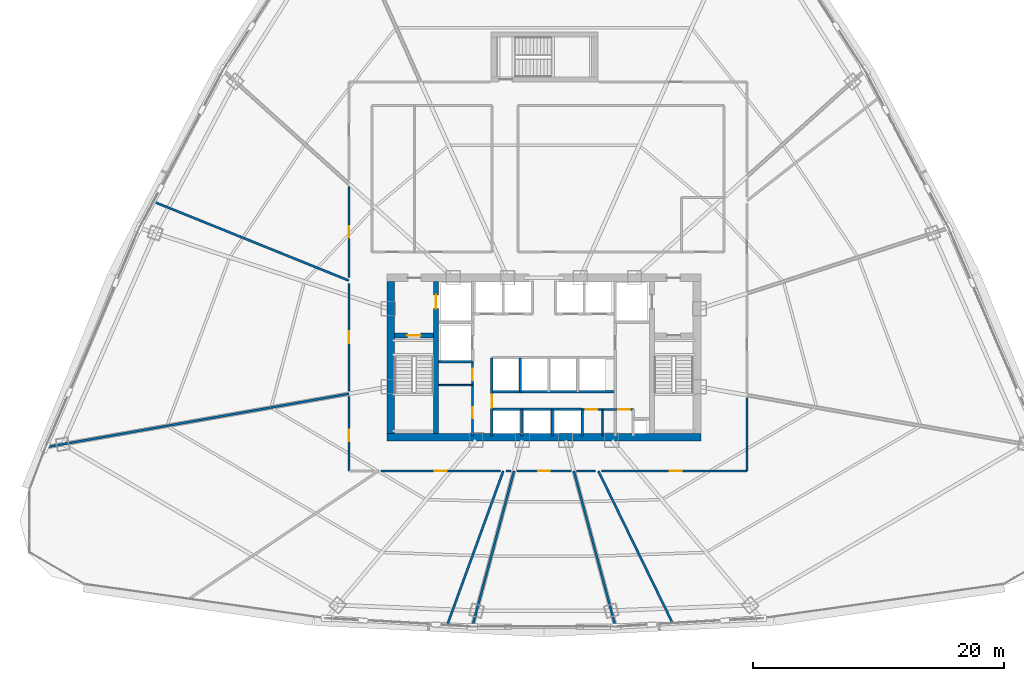
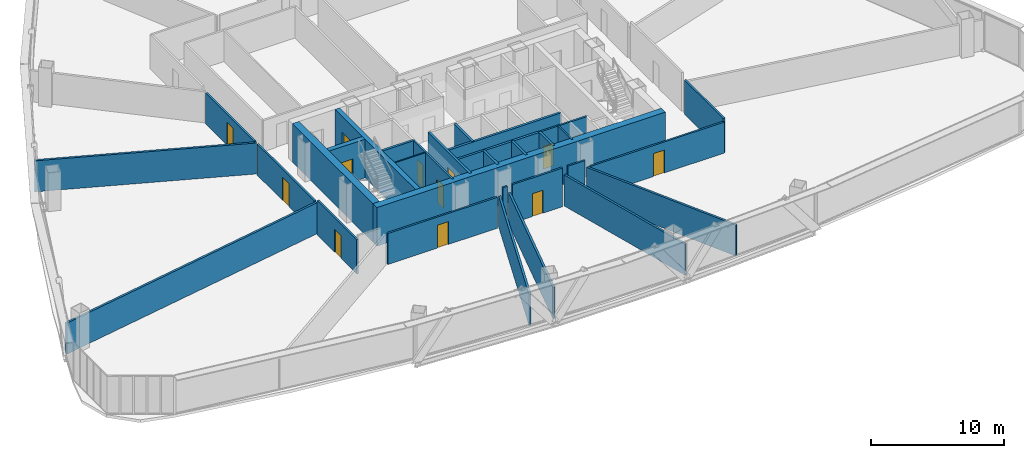
# One storey, part 34 of 41: 31 walls, 13 doors, 13 openings.
"""IFC4 building model written with IfcOpenShell, lengths in metres."""

from ifc_helpers import new_model, si_unit, direction, frame, frame_2d, origin, origin_with_axes, place, context, subcontext, project, spatial, rectangle, extrude, source, transform, mapped, material, layer, layer_set, type_object, element, fill, save


model = new_model("IFC4")

# Units and contexts
model_context = context("Model", 3, precision=1e-05, world=origin(), true_north=direction((0.0, 1.0)))
body_context = subcontext(model_context, "Body", "Model", "MODEL_VIEW")
ifc_project = project(units=[si_unit("LENGTHUNIT", "METRE"), si_unit("AREAUNIT", "SQUARE_METRE"), si_unit("VOLUMEUNIT", "CUBIC_METRE"), si_unit("PLANEANGLEUNIT", "RADIAN"), si_unit("MASSUNIT", "GRAM", prefix="KILO"), si_unit("THERMODYNAMICTEMPERATUREUNIT", "KELVIN"), si_unit("POWERUNIT", "WATT")], contexts=[model_context])

# Site, building, storey
site_placement = place(None, origin())
site = spatial("IfcSite", under=ifc_project, at=site_placement, CompositionType="ELEMENT")
building_placement = place(site_placement, origin())
building = spatial("IfcBuilding", under=site, at=building_placement, Name="Yunzhuo Pagoda Commons", CompositionType="ELEMENT")
storey_placement = place(building_placement, frame((0.0, 0.0, 111.580078125)))
storey = spatial("IfcBuildingStorey", under=building, at=storey_placement, Name="L28", CompositionType="ELEMENT", Elevation=111.580078125)

# Walls
ifc_material_1 = material(Name="Concrete C60", Category="concrete")
ifc_layer_1 = layer(ifc_material_1, 0.60009765625)
ifc_layer_set_1 = layer_set([ifc_layer_1], Name="Concrete C60")
wall_type_1 = type_object("IfcWallType", Name="W-C02 Mid Core Shear Wall 600", PredefinedType="SHEAR", material=ifc_layer_set_1)
wall_1_placement = place(storey_placement, frame((35.5, 27.5, 0.0), z_axis=(0.0, 0.0, 1.0), x_axis=(1.0, 0.0, 0.0)))
element("IfcWall", 1, at=wall_1_placement, inside=storey, type_object=wall_type_1, Name="L28 core shear wall S", PredefinedType="SHEAR", context=body_context, shape_type="SweptSolid", body=[
    extrude(rectangle(XDim=25.0, YDim=0.60009765625, at=frame_2d((12.5, 0.0))), origin(), (0.0, 0.0, 1.0), 3.5400390625),
])
wall_2_placement = place(storey_placement, frame((35.800048828125, 27.800048828125, 0.0), z_axis=(0.0, 0.0, 1.0), x_axis=(0.0, 1.0, 0.0)))
element("IfcWall", 2, at=wall_2_placement, inside=storey, type_object=wall_type_1, Name="L28 core shear wall W", PredefinedType="SHEAR", context=body_context, shape_type="SweptSolid", body=[
    extrude(rectangle(XDim=12.099853515625, YDim=0.60009765625, at=frame_2d((6.0498046875, 0.0))), origin(), (0.0, 0.0, 1.0), 3.5400390625),
])

# Wall, openings, doors
ifc_material_2 = material(Name="Gypsum plasterboard on acoustic stud")
ifc_layer_2 = layer(ifc_material_2, 0.159912109375)
ifc_layer_set_2 = layer_set([ifc_layer_2], Name="Gypsum plasterboard on acoustic stud")
wall_type_2 = type_object("IfcWallType", Name="W-COR1 Tower Rated Corridor Wall 160", PredefinedType="PARTITIONING", material=ifc_layer_set_2)
wall_3_placement = place(storey_placement, frame((42.320068359375, 27.60009765625, 0.0), z_axis=(0.0, 0.0, 1.0), x_axis=(0.0, 1.0, 0.0)))
wall_3 = element("IfcWall", 3, at=wall_3_placement, inside=storey, type_object=wall_type_2, Name="L28 interior wall IW-L28-CSWE", PredefinedType="PARTITIONING", context=body_context, shape_type="SweptSolid", body=[
    extrude(rectangle(XDim=5.89990234375, YDim=0.159912109375, at=frame_2d((2.949951171875, 0.0))), origin(), (0.0, 0.0, 1.0), 3.5400390625),
])
opening_1_placement = place(wall_3_placement, frame((1.39990234375, 0.0, 0.0)))
opening_1 = element("IfcOpeningElement", 4, at=opening_1_placement, cuts=wall_3, Name="Opening D-03", PredefinedType="OPENING", context=body_context, shape_type="SweptSolid", body=[
    extrude(rectangle(XDim=0.89990234375, YDim=2.10009765625, at=frame_2d((0.449951171875, 1.050048828125))), frame((0.0, 0.08984375, 0.0), z_axis=(0.0, -1.0, 0.0), x_axis=(1.0, 0.0, 0.0)), (0.0, 0.0, 1.0), 0.179931640625),
])
opening_2_placement = place(wall_3_placement, frame((4.449951171875, 0.0, 0.0)))
opening_2 = element("IfcOpeningElement", 5, at=opening_2_placement, cuts=wall_3, Name="Opening D-03", PredefinedType="OPENING", context=body_context, shape_type="SweptSolid", body=[
    extrude(rectangle(XDim=0.89990234375, YDim=2.10009765625, at=frame_2d((0.449951171875, 1.050048828125))), frame((0.0, 0.08984375, 0.0), z_axis=(0.0, -1.0, 0.0), x_axis=(1.0, 0.0, 0.0)), (0.0, 0.0, 1.0), 0.179931640625),
])
ifc_material_3 = material(Name="Galvanized fire-resisting metal leaf")
door_type_1 = type_object("IfcDoorType", Name="D-03 Core Service Fire Door 900x2100", OperationType="NOTDEFINED", PredefinedType="DOOR", material=ifc_material_3)
shared_shape_1 = source(origin(), body_context, "Body", "SweptSolid", [
    extrude(rectangle(XDim=0.89990234375, YDim=2.10009765625, at=frame_2d((0.449951171875, 1.050048828125))), frame((0.0, 0.02490234375, 0.0), z_axis=(0.0, -1.0, 0.0), x_axis=(1.0, 0.0, 0.0)), (0.0, 0.0, 1.0), 0.050048828125),
])
door_1_placement = place(opening_1_placement, origin_with_axes())
door_1 = element("IfcDoor", 6, at=door_1_placement, inside=storey, type_object=door_type_1, Name="L28 service store door", OperationType="SINGLE_SWING_LEFT", OverallHeight=2.10009765625, OverallWidth=0.89990234375, PredefinedType="DOOR", context=body_context, shape_type="MappedRepresentation", body=[
    mapped(shared_shape_1, transform((0.0, 0.0, 0.0), scale=1.0)),
])
fill(opening_1, door_1)
door_2_placement = place(opening_2_placement, origin_with_axes())
door_2 = element("IfcDoor", 7, at=door_2_placement, inside=storey, type_object=door_type_1, Name="L28 switch closet door", OperationType="SINGLE_SWING_RIGHT", OverallHeight=2.10009765625, OverallWidth=0.89990234375, PredefinedType="DOOR", context=body_context, shape_type="MappedRepresentation", body=[
    mapped(shared_shape_1, transform((0.0, 0.0, 0.0), scale=1.0)),
])
fill(opening_2, door_2)

wall_4_placement = place(storey_placement, frame((51.050048828125, 29.719970703125, 0.0), z_axis=(0.0, 0.0, 1.0), x_axis=(1.0, 0.0, 0.0)))
wall_4 = element("IfcWall", 8, at=wall_4_placement, inside=storey, type_object=wall_type_2, Name="L28 interior wall IW-L28-CSES", PredefinedType="PARTITIONING", context=body_context, shape_type="SweptSolid", body=[
    extrude(rectangle(XDim=4.070068359375, YDim=0.159912109375, at=frame_2d((2.03515625, 0.0))), origin(), (0.0, 0.0, 1.0), 3.5400390625),
])
opening_3_placement = place(wall_4_placement, frame((0.300048828125, 0.0, 0.0)))
opening_3 = element("IfcOpeningElement", 9, at=opening_3_placement, cuts=wall_4, Name="Opening D-03", PredefinedType="OPENING", context=body_context, shape_type="SweptSolid", body=[
    extrude(rectangle(XDim=0.89990234375, YDim=2.10009765625, at=frame_2d((0.449951171875, 1.050048828125))), frame((0.0, 0.08984375, 0.0), z_axis=(0.0, -1.0, 0.0), x_axis=(1.0, 0.0, 0.0)), (0.0, 0.0, 1.0), 0.179931640625),
])
opening_4_placement = place(wall_4_placement, frame((2.860107421875, 0.0, 0.0)))
opening_4 = element("IfcOpeningElement", 10, at=opening_4_placement, cuts=wall_4, Name="Opening D-11", PredefinedType="OPENING", context=body_context, shape_type="SweptSolid", body=[
    extrude(rectangle(XDim=0.93994140625, YDim=2.10009765625, at=frame_2d((0.469970703125, 1.050048828125))), frame((0.0, 0.08984375, 0.0), z_axis=(0.0, -1.0, 0.0), x_axis=(1.0, 0.0, 0.0)), (0.0, 0.0, 1.0), 0.179931640625),
])
door_3_placement = place(opening_3_placement, origin_with_axes())
door_3 = element("IfcDoor", 11, at=door_3_placement, inside=storey, type_object=door_type_1, Name="L28 cleaner door", OperationType="SINGLE_SWING_LEFT", OverallHeight=2.10009765625, OverallWidth=0.89990234375, PredefinedType="DOOR", context=body_context, shape_type="MappedRepresentation", body=[
    mapped(shared_shape_1, transform((0.0, 0.0, 0.0), scale=1.0)),
])
fill(opening_3, door_3)
door_type_2 = type_object("IfcDoorType", Name="D-11 Accessible Washroom Fire Door 940x2100", OperationType="NOTDEFINED", PredefinedType="DOOR", material=ifc_material_3)
shared_shape_2 = source(origin(), body_context, "Body", "SweptSolid", [
    extrude(rectangle(XDim=0.93994140625, YDim=2.10009765625, at=frame_2d((0.469970703125, 1.050048828125))), frame((0.0, 0.02490234375, 0.0), z_axis=(0.0, -1.0, 0.0), x_axis=(1.0, 0.0, 0.0)), (0.0, 0.0, 1.0), 0.050048828125),
])
door_4_placement = place(opening_4_placement, origin_with_axes())
door_4 = element("IfcDoor", 12, at=door_4_placement, inside=storey, type_object=door_type_2, Name="L28 core WC door", OperationType="SINGLE_SWING_RIGHT", OverallHeight=2.10009765625, OverallWidth=0.93994140625, PredefinedType="DOOR", context=body_context, shape_type="MappedRepresentation", body=[
    mapped(shared_shape_2, transform((0.0, 0.0, 0.0), scale=1.0)),
])
fill(opening_4, door_4)

# Wall, opening, door
wall_5_placement = place(storey_placement, frame((32.449951171875, 24.800048828125, 0.0), z_axis=(0.0, 0.0, 1.0), x_axis=(0.0, 1.0, 0.0)))
wall_5 = element("IfcWall", 13, at=wall_5_placement, inside=storey, type_object=wall_type_2, Name="L28 interior wall IW-L28-CWL01", PredefinedType="PARTITIONING", context=body_context, shape_type="SweptSolid", body=[
    extrude(rectangle(XDim=5.9345703125, YDim=0.159912109375, at=frame_2d((2.96728515625, 0.0))), origin(), (0.0, 0.0, 1.0), 3.139892578125),
])
opening_5_placement = place(wall_5_placement, frame((2.38916015625, 0.0, 0.0)))
opening_5 = element("IfcOpeningElement", 14, at=opening_5_placement, cuts=wall_5, Name="Opening D-04", PredefinedType="OPENING", context=body_context, shape_type="SweptSolid", body=[
    extrude(rectangle(XDim=0.919921875, YDim=2.10009765625, at=frame_2d((0.4599609375, 1.050048828125))), frame((0.0, 0.08984375, 0.0), z_axis=(0.0, -1.0, 0.0), x_axis=(1.0, 0.0, 0.0)), (0.0, 0.0, 1.0), 0.179931640625),
])
ifc_material_4 = material(Name="Powder-coated aluminium and timber acoustic leaf", Category="wood")
door_type_3 = type_object("IfcDoorType", Name="D-04 Bedroom & Study Interior Door 920x2100", OperationType="NOTDEFINED", PredefinedType="DOOR", material=ifc_material_4)
shared_shape_3 = source(origin(), body_context, "Body", "SweptSolid", [
    extrude(rectangle(XDim=0.919921875, YDim=2.10009765625, at=frame_2d((0.4599609375, 1.050048828125))), frame((0.0, 0.02490234375, 0.0), z_axis=(0.0, -1.0, 0.0), x_axis=(1.0, 0.0, 0.0)), (0.0, 0.0, 1.0), 0.050048828125),
])
door_5_placement = place(opening_5_placement, origin_with_axes())
door_5 = element("IfcDoor", 15, at=door_5_placement, inside=storey, type_object=door_type_3, Name="L28 seminar room 08 door", OperationType="SINGLE_SWING_LEFT", OverallHeight=2.10009765625, OverallWidth=0.919921875, PredefinedType="DOOR", context=body_context, shape_type="MappedRepresentation", body=[
    mapped(shared_shape_3, transform((0.0, 0.0, 0.0), scale=1.0)),
])
fill(opening_5, door_5)

wall_6_placement = place(storey_placement, frame((32.449951171875, 31.177978515625, 0.0), z_axis=(0.0, 0.0, 1.0), x_axis=(0.0, 1.0, 0.0)))
wall_6 = element("IfcWall", 16, at=wall_6_placement, inside=storey, type_object=wall_type_2, Name="L28 interior wall IW-L28-CWL02", PredefinedType="PARTITIONING", context=body_context, shape_type="SweptSolid", body=[
    extrude(rectangle(XDim=8.584716796875, YDim=0.159912109375, at=frame_2d((4.29248046875, 0.0))), origin(), (0.0, 0.0, 1.0), 2.83984375),
])
opening_6_placement = place(wall_6_placement, frame((3.8173828125, 0.0, 0.0)))
opening_6 = element("IfcOpeningElement", 17, at=opening_6_placement, cuts=wall_6, Name="Opening D-06", PredefinedType="OPENING", context=body_context, shape_type="SweptSolid", body=[
    extrude(rectangle(XDim=0.949951171875, YDim=2.10009765625, at=frame_2d((0.47509765625, 1.050048828125))), frame((0.0, 0.08984375, 0.0), z_axis=(0.0, -1.0, 0.0), x_axis=(1.0, 0.0, 0.0)), (0.0, 0.0, 1.0), 0.179931640625),
])
door_type_4 = type_object("IfcDoorType", Name="D-06 Co-Living Suite Entrance Fire Door 950x2100", OperationType="NOTDEFINED", PredefinedType="DOOR", material=ifc_material_3)
shared_shape_4 = source(origin(), body_context, "Body", "SweptSolid", [
    extrude(rectangle(XDim=0.949951171875, YDim=2.10009765625, at=frame_2d((0.47509765625, 1.050048828125))), frame((0.0, 0.02490234375, 0.0), z_axis=(0.0, -1.0, 0.0), x_axis=(1.0, 0.0, 0.0)), (0.0, 0.0, 1.0), 0.050048828125),
])
door_6_placement = place(opening_6_placement, origin_with_axes())
door_6 = element("IfcDoor", 18, at=door_6_placement, inside=storey, type_object=door_type_4, Name="L28 Resident Co-Living Commons Hall door", OperationType="SINGLE_SWING_RIGHT", OverallHeight=2.10009765625, OverallWidth=0.949951171875, PredefinedType="DOOR", context=body_context, shape_type="MappedRepresentation", body=[
    mapped(shared_shape_4, transform((0.0, 0.0, 0.0), scale=1.0)),
])
fill(opening_6, door_6)

wall_7_placement = place(storey_placement, frame((32.449951171875, 40.219970703125, 0.0), z_axis=(0.0, 0.0, 1.0), x_axis=(0.0, 1.0, 0.0)))
wall_7 = element("IfcWall", 19, at=wall_7_placement, inside=storey, type_object=wall_type_2, Name="L28 interior wall IW-L28-CWL03", PredefinedType="PARTITIONING", context=body_context, shape_type="SweptSolid", body=[
    extrude(rectangle(XDim=7.26171875, YDim=0.159912109375, at=frame_2d((3.630859375, 0.0))), origin(), (0.0, 0.0, 1.0), 2.83984375),
])
opening_7_placement = place(wall_7_placement, frame((3.162109375, 0.0, 0.0)))
opening_7 = element("IfcOpeningElement", 20, at=opening_7_placement, cuts=wall_7, Name="Opening D-04", PredefinedType="OPENING", context=body_context, shape_type="SweptSolid", body=[
    extrude(rectangle(XDim=0.919921875, YDim=2.10009765625, at=frame_2d((0.4599609375, 1.050048828125))), frame((0.0, 0.08984375, 0.0), z_axis=(0.0, -1.0, 0.0), x_axis=(1.0, 0.0, 0.0)), (0.0, 0.0, 1.0), 0.179931640625),
])
door_7_placement = place(opening_7_placement, origin_with_axes())
door_7 = element("IfcDoor", 21, at=door_7_placement, inside=storey, type_object=door_type_3, Name="L28 seminar room 06 door", OperationType="SINGLE_SWING_LEFT", OverallHeight=2.10009765625, OverallWidth=0.919921875, PredefinedType="DOOR", context=body_context, shape_type="MappedRepresentation", body=[
    mapped(shared_shape_3, transform((0.0, 0.0, 0.0), scale=1.0)),
])
fill(opening_7, door_7)

# Wall
wall_8_placement = place(storey_placement, frame((64.199951171875, 30.6201171875, 0.0), z_axis=(0.0, 0.0, 1.0), x_axis=(0.0, -1.0, 0.0)))
element("IfcWall", 22, at=wall_8_placement, inside=storey, type_object=wall_type_2, Name="L28 interior wall IW-L28-CWL12", PredefinedType="PARTITIONING", context=body_context, shape_type="SweptSolid", body=[
    extrude(rectangle(XDim=5.820068359375, YDim=0.159912109375, at=frame_2d((2.91015625, 0.0))), origin(), (0.0, 0.0, 1.0), 3.139892578125),
])

# Wall, opening, door
wall_9_placement = place(storey_placement, frame((64.199951171875, 24.800048828125, 0.0), z_axis=(0.0, 0.0, 1.0), x_axis=(-1.0, 0.0, 0.0)))
wall_9 = element("IfcWall", 23, at=wall_9_placement, inside=storey, type_object=wall_type_2, Name="L28 interior wall IW-L28-CWL13", PredefinedType="PARTITIONING", context=body_context, shape_type="SweptSolid", body=[
    extrude(rectangle(XDim=11.6142578125, YDim=0.159912109375, at=frame_2d((5.80712890625, 0.0))), origin(), (0.0, 0.0, 1.0), 2.83984375),
])
opening_8_placement = place(wall_9_placement, frame((5.224609375, 0.0, 0.0)))
opening_8 = element("IfcOpeningElement", 24, at=opening_8_placement, cuts=wall_9, Name="Opening D-06", PredefinedType="OPENING", context=body_context, shape_type="SweptSolid", body=[
    extrude(rectangle(XDim=0.949951171875, YDim=2.10009765625, at=frame_2d((0.47509765625, 1.050048828125))), frame((0.0, 0.08984375, 0.0), z_axis=(0.0, -1.0, 0.0), x_axis=(1.0, 0.0, 0.0)), (0.0, 0.0, 1.0), 0.179931640625),
])
door_8_placement = place(opening_8_placement, origin_with_axes())
door_8 = element("IfcDoor", 25, at=door_8_placement, inside=storey, type_object=door_type_4, Name="L28 Academic Reading Commons 3 door", OperationType="SINGLE_SWING_RIGHT", OverallHeight=2.10009765625, OverallWidth=0.949951171875, PredefinedType="DOOR", context=body_context, shape_type="MappedRepresentation", body=[
    mapped(shared_shape_4, transform((0.0, 0.0, 0.0), scale=1.0)),
])
fill(opening_8, door_8)

# Wall
wall_10_placement = place(storey_placement, frame((52.12109375, 24.800048828125, 0.0), z_axis=(0.0, 0.0, 1.0), x_axis=(-1.0, 0.0, 0.0)))
element("IfcWall", 26, at=wall_10_placement, inside=storey, type_object=wall_type_2, Name="L28 interior wall IW-L28-CWL14", PredefinedType="PARTITIONING", context=body_context, shape_type="SweptSolid", body=[
    extrude(rectangle(XDim=1.508544921875, YDim=0.159912109375, at=frame_2d((0.75439453125, 0.0))), origin(), (0.0, 0.0, 1.0), 3.5400390625),
])

# Wall, opening, door
wall_11_placement = place(storey_placement, frame((50.164794921875, 24.800048828125, 0.0), z_axis=(0.0, 0.0, 1.0), x_axis=(-1.0, 0.0, 0.0)))
wall_11 = element("IfcWall", 27, at=wall_11_placement, inside=storey, type_object=wall_type_2, Name="L28 interior wall IW-L28-CWL15", PredefinedType="PARTITIONING", context=body_context, shape_type="SweptSolid", body=[
    extrude(rectangle(XDim=4.32958984375, YDim=0.159912109375, at=frame_2d((2.164794921875, 0.0))), origin(), (0.0, 0.0, 1.0), 3.5400390625),
])
opening_9_placement = place(wall_11_placement, frame((1.704833984375, 0.0, 0.0)))
opening_9 = element("IfcOpeningElement", 28, at=opening_9_placement, cuts=wall_11, Name="Opening D-04", PredefinedType="OPENING", context=body_context, shape_type="SweptSolid", body=[
    extrude(rectangle(XDim=0.919921875, YDim=2.10009765625, at=frame_2d((0.4599609375, 1.050048828125))), frame((0.0, 0.08984375, 0.0), z_axis=(0.0, -1.0, 0.0), x_axis=(1.0, 0.0, 0.0)), (0.0, 0.0, 1.0), 0.179931640625),
])
door_9_placement = place(opening_9_placement, origin_with_axes())
door_9 = element("IfcDoor", 29, at=door_9_placement, inside=storey, type_object=door_type_3, Name="L28 seminar room 11 door", OperationType="SINGLE_SWING_RIGHT", OverallHeight=2.10009765625, OverallWidth=0.919921875, PredefinedType="DOOR", context=body_context, shape_type="MappedRepresentation", body=[
    mapped(shared_shape_3, transform((0.0, 0.0, 0.0), scale=1.0)),
])
fill(opening_9, door_9)

# Wall
wall_12_placement = place(storey_placement, frame((45.387451171875, 24.800048828125, 0.0), z_axis=(0.0, 0.0, 1.0), x_axis=(-1.0, 0.0, 0.0)))
element("IfcWall", 30, at=wall_12_placement, inside=storey, type_object=wall_type_2, Name="L28 interior wall IW-L28-CWL16", PredefinedType="PARTITIONING", context=body_context, shape_type="SweptSolid", body=[
    extrude(rectangle(XDim=0.406982421875, YDim=0.159912109375, at=frame_2d((0.20361328125, 0.0))), origin(), (0.0, 0.0, 1.0), 3.5400390625),
])

# Wall, opening, door
wall_13_placement = place(storey_placement, frame((44.526611328125, 24.800048828125, 0.0), z_axis=(0.0, 0.0, 1.0), x_axis=(-1.0, 0.0, 0.0)))
wall_13 = element("IfcWall", 31, at=wall_13_placement, inside=storey, type_object=wall_type_2, Name="L28 interior wall IW-L28-CWL17", PredefinedType="PARTITIONING", context=body_context, shape_type="SweptSolid", body=[
    extrude(rectangle(XDim=9.50146484375, YDim=0.159912109375, at=frame_2d((4.750732421875, 0.0))), origin(), (0.0, 0.0, 1.0), 2.83984375),
])
opening_10_placement = place(wall_13_placement, frame((4.268798828125, 0.0, 0.0)))
opening_10 = element("IfcOpeningElement", 32, at=opening_10_placement, cuts=wall_13, Name="Opening D-06", PredefinedType="OPENING", context=body_context, shape_type="SweptSolid", body=[
    extrude(rectangle(XDim=0.949951171875, YDim=2.10009765625, at=frame_2d((0.47509765625, 1.050048828125))), frame((0.0, 0.08984375, 0.0), z_axis=(0.0, -1.0, 0.0), x_axis=(1.0, 0.0, 0.0)), (0.0, 0.0, 1.0), 0.179931640625),
])
door_10_placement = place(opening_10_placement, origin_with_axes())
door_10 = element("IfcDoor", 33, at=door_10_placement, inside=storey, type_object=door_type_4, Name="L28 Academic Reading Commons 2 door", OperationType="SINGLE_SWING_RIGHT", OverallHeight=2.10009765625, OverallWidth=0.949951171875, PredefinedType="DOOR", context=body_context, shape_type="MappedRepresentation", body=[
    mapped(shared_shape_4, transform((0.0, 0.0, 0.0), scale=1.0)),
])
fill(opening_10, door_10)

# Walls
ifc_layer_3 = layer(ifc_material_2, 0.1201171875)
ifc_layer_set_3 = layer_set([ifc_layer_3], Name="Gypsum plasterboard on acoustic stud")
wall_type_3 = type_object("IfcWallType", Name="W-PRT1 Suite & Bathroom Partition 120", PredefinedType="PARTITIONING", material=ifc_layer_set_3)
wall_14_placement = place(storey_placement, frame((39.60009765625, 31.64990234375, 0.0), z_axis=(0.0, 0.0, 1.0), x_axis=(1.0, 0.0, 0.0)))
element("IfcWall", 34, at=wall_14_placement, inside=storey, type_object=wall_type_3, Name="L28 interior wall IW-L28-CD1", PredefinedType="PARTITIONING", context=body_context, shape_type="SweptSolid", body=[
    extrude(rectangle(XDim=2.719970703125, YDim=0.1201171875, at=frame_2d((1.35986328125, 0.0))), origin(), (0.0, 0.0, 1.0), 3.5400390625),
])
wall_15_placement = place(storey_placement, frame((52.64990234375, 27.60009765625, 0.0), z_axis=(0.0, 0.0, 1.0), x_axis=(0.0, 1.0, 0.0)))
element("IfcWall", 35, at=wall_15_placement, inside=storey, type_object=wall_type_3, Name="L28 interior wall IW-L28-CD2", PredefinedType="PARTITIONING", context=body_context, shape_type="SweptSolid", body=[
    extrude(rectangle(XDim=2.119873046875, YDim=0.1201171875, at=frame_2d((1.06005859375, 0.0))), origin(), (0.0, 0.0, 1.0), 3.5400390625),
])
ifc_layer_4 = layer(ifc_material_2, 0.179931640625)
ifc_layer_set_4 = layer_set([ifc_layer_4], Name="Gypsum plasterboard on acoustic stud")
wall_type_4 = type_object("IfcWallType", Name="W-PRT2 Acoustic Unit Demising Wall 180", PredefinedType="PARTITIONING", material=ifc_layer_set_4)
wall_16_placement = place(storey_placement, frame((32.449951171875, 39.982666015625, 0.0), z_axis=(0.0, 0.0, 1.0), x_axis=(-0.927182599154, 0.374609700656, 0.0)))
element("IfcWall", 36, at=wall_16_placement, inside=storey, type_object=wall_type_4, Name="L28 interior wall IW-L28-RAD06", PredefinedType="PARTITIONING", context=body_context, shape_type="SweptSolid", body=[
    extrude(rectangle(XDim=16.817626953125, YDim=0.179931640625, at=frame_2d((8.40869140625, 0.0))), origin(), (0.0, 0.0, 1.0), 2.83984375),
])
wall_17_placement = place(storey_placement, frame((32.449951171875, 30.9580078125, 0.0), z_axis=(0.0, 0.0, 1.0), x_axis=(-0.984808478557, -0.17364406285, 0.0)))
element("IfcWall", 37, at=wall_17_placement, inside=storey, type_object=wall_type_4, Name="L28 interior wall IW-L28-RAD07", PredefinedType="PARTITIONING", context=body_context, shape_type="SweptSolid", body=[
    extrude(rectangle(XDim=24.548583984375, YDim=0.179931640625, at=frame_2d((12.2744140625, 0.0))), origin(), (0.0, 0.0, 1.0), 2.83984375),
])
wall_18_placement = place(storey_placement, frame((44.7607421875, 24.800048828125, 0.0), z_axis=(0.0, 0.0, 1.0), x_axis=(-0.342023223654, -0.939691499632, 0.0)))
element("IfcWall", 38, at=wall_18_placement, inside=storey, type_object=wall_type_4, Name="L28 interior wall IW-L28-RAD09", PredefinedType="PARTITIONING", context=body_context, shape_type="SweptSolid", body=[
    extrude(rectangle(XDim=13.08349609375, YDim=0.179931640625, at=frame_2d((6.541748046875, 0.0))), origin(), (0.0, 0.0, 1.0), 2.83984375),
])
for number, where, z_axis, x_axis, name in (
    (39, (45.615234375, 24.800048828125, 0.0), (0.0, 0.0, 1.0), (-0.258818094647, -0.965926080962, 0.0), "L28 interior wall IW-L28-RAD10"),
    (40, (50.384765625, 24.800048828125, 0.0), (0.0, 0.0, 1.0), (0.258818094647, -0.965926080962, 0.0), "L28 interior wall IW-L28-RAD11"),
):
    element("IfcWall", number, at=place(storey_placement, frame(where, z_axis=z_axis, x_axis=x_axis)), inside=storey, type_object=wall_type_4, Name=name, PredefinedType="PARTITIONING", context=body_context, shape_type="SweptSolid", body=[
        extrude(rectangle(XDim=12.8466796875, YDim=0.179931640625, at=frame_2d((6.42333984375, 0.0))), origin(), (0.0, 0.0, 1.0), 2.83984375),
    ])
wall_19_placement = place(storey_placement, frame((52.3408203125, 24.800048828125, 0.0), z_axis=(0.0, 0.0, 1.0), x_axis=(0.438370251769, -0.898794482829, 0.0)))
element("IfcWall", 41, at=wall_19_placement, inside=storey, type_object=wall_type_4, Name="L28 interior wall IW-L28-RAD12", PredefinedType="PARTITIONING", context=body_context, shape_type="SweptSolid", body=[
    extrude(rectangle(XDim=13.5166015625, YDim=0.179931640625, at=frame_2d((6.75830078125, 0.0))), origin(), (0.0, 0.0, 1.0), 2.83984375),
])

# Wall, opening, door
ifc_layer_5 = layer(ifc_material_1, 0.39990234375)
ifc_layer_set_5 = layer_set([ifc_layer_5], Name="Concrete C60")
wall_type_5 = type_object("IfcWallType", Name="W-S01 Internal Core Shear Web 400", PredefinedType="SHEAR", material=ifc_layer_set_5)
wall_20_placement = place(storey_placement, frame((39.39990234375, 27.800048828125, 0.0), z_axis=(0.0, 0.0, 1.0), x_axis=(0.0, 1.0, 0.0)))
wall_20 = element("IfcWall", 42, at=wall_20_placement, inside=storey, type_object=wall_type_5, Name="L28 core shear wall WEBW", PredefinedType="SHEAR", context=body_context, shape_type="SweptSolid", body=[
    extrude(rectangle(XDim=12.099853515625, YDim=0.39990234375, at=frame_2d((6.0498046875, 0.0))), origin(), (0.0, 0.0, 1.0), 3.5400390625),
])
opening_11_placement = place(wall_20_placement, frame((9.949951171875, 0.0, 0.0)))
opening_11 = element("IfcOpeningElement", 43, at=opening_11_placement, cuts=wall_20, Name="Opening LD-01", PredefinedType="OPENING", context=body_context, shape_type="SweptSolid", body=[
    extrude(rectangle(XDim=1.10009765625, YDim=2.10009765625, at=frame_2d((0.550048828125, 1.050048828125))), frame((0.0, 0.2099609375, 0.0), z_axis=(0.0, -1.0, 0.0), x_axis=(1.0, 0.0, 0.0)), (0.0, 0.0, 1.0), 0.419921875),
])
door_type_5 = type_object("IfcDoorType", Name="LD-01 Firefighting Lift Landing Door 1100x2100", OperationType="DOUBLE_DOOR_SLIDING", PredefinedType="DOOR", material=ifc_material_3)
shared_shape_5 = source(origin(), body_context, "Body", "SweptSolid", [
    extrude(rectangle(XDim=1.10009765625, YDim=2.10009765625, at=frame_2d((0.550048828125, 1.050048828125))), frame((0.0, 0.02490234375, 0.0), z_axis=(0.0, -1.0, 0.0), x_axis=(1.0, 0.0, 0.0)), (0.0, 0.0, 1.0), 0.050048828125),
])
door_11_placement = place(opening_11_placement, frame((1.10009765625, 0.0, 0.0), z_axis=(0.0, 0.0, 1.0), x_axis=(-1.0, 0.0, 0.0)))
door_11 = element("IfcDoor", 44, at=door_11_placement, inside=storey, type_object=door_type_5, Name="L28 Firefighting lift FL-1 landing door", OperationType="DOUBLE_DOOR_SLIDING", OverallHeight=2.10009765625, OverallWidth=1.10009765625, PredefinedType="DOOR", context=body_context, shape_type="MappedRepresentation", body=[
    mapped(shared_shape_5, transform((0.0, 0.0, 0.0), scale=1.0)),
])
fill(opening_11, door_11)

wall_21_placement = place(storey_placement, frame((36.10009765625, 35.60009765625, 0.0), z_axis=(0.0, 0.0, 1.0), x_axis=(1.0, 0.0, 0.0)))
wall_21 = element("IfcWall", 45, at=wall_21_placement, inside=storey, type_object=wall_type_5, Name="L28 core shear wall STW", PredefinedType="SHEAR", context=body_context, shape_type="SweptSolid", body=[
    extrude(rectangle(XDim=3.099853515625, YDim=0.39990234375, at=frame_2d((1.5498046875, 0.0))), origin(), (0.0, 0.0, 1.0), 3.5400390625),
])
opening_12_placement = place(wall_21_placement, frame((1.02001953125, 0.0, 0.0)))
opening_12 = element("IfcOpeningElement", 46, at=opening_12_placement, cuts=wall_21, Name="Opening D-01", PredefinedType="OPENING", context=body_context, shape_type="SweptSolid", body=[
    extrude(rectangle(XDim=1.050048828125, YDim=2.10009765625, at=frame_2d((0.52490234375, 1.050048828125))), frame((0.0, 0.2099609375, 0.0), z_axis=(0.0, -1.0, 0.0), x_axis=(1.0, 0.0, 0.0)), (0.0, 0.0, 1.0), 0.419921875),
])
door_type_6 = type_object("IfcDoorType", Name="D-01 Smokeproof Stair Fire Door 1050x2100", OperationType="NOTDEFINED", PredefinedType="DOOR", material=ifc_material_3)
shared_shape_6 = source(origin(), body_context, "Body", "SweptSolid", [
    extrude(rectangle(XDim=1.050048828125, YDim=2.10009765625, at=frame_2d((0.52490234375, 1.050048828125))), frame((0.0, 0.02490234375, 0.0), z_axis=(0.0, -1.0, 0.0), x_axis=(1.0, 0.0, 0.0)), (0.0, 0.0, 1.0), 0.050048828125),
])
door_12_placement = place(opening_12_placement, frame((1.050048828125, 0.0, 0.0), z_axis=(0.0, 0.0, 1.0), x_axis=(-1.0, 0.0, 0.0)))
door_12 = element("IfcDoor", 47, at=door_12_placement, inside=storey, type_object=door_type_6, Name="L28 Stair ST1 fire door", OperationType="SINGLE_SWING_LEFT", OverallHeight=2.10009765625, OverallWidth=1.050048828125, PredefinedType="DOOR", context=body_context, shape_type="MappedRepresentation", body=[
    mapped(shared_shape_6, transform((0.0, 0.0, 0.0), scale=1.0)),
])
fill(opening_12, door_12)

# Wall
ifc_material_5 = material(Name="Concrete C40", Category="concrete")
ifc_layer_6 = layer(ifc_material_5, 0.199951171875)
ifc_layer_set_6 = layer_set([ifc_layer_6], Name="Concrete C40")
wall_type_6 = type_object("IfcWallType", Name="W-SHF Shaft & Stair Enclosure Wall 200", PredefinedType="SOLIDWALL", material=ifc_layer_set_6)
wall_22_placement = place(storey_placement, frame((39.60009765625, 33.5, 0.0), z_axis=(0.0, 0.0, 1.0), x_axis=(1.0, 0.0, 0.0)))
element("IfcWall", 48, at=wall_22_placement, inside=storey, type_object=wall_type_6, Name="L28 interior wall IW-L28-SL1S", PredefinedType="SOLIDWALL", context=body_context, shape_type="SweptSolid", body=[
    extrude(rectangle(XDim=2.719970703125, YDim=0.199951171875, at=frame_2d((1.35986328125, 0.0))), origin(), (0.0, 0.0, 1.0), 3.5400390625),
])

# Wall, opening, door
wall_23_placement = place(storey_placement, frame((43.85009765625, 27.60009765625, 0.0), z_axis=(0.0, 0.0, 1.0), x_axis=(0.0, 1.0, 0.0)))
wall_23 = element("IfcWall", 49, at=wall_23_placement, inside=storey, type_object=wall_type_6, Name="L28 interior wall IW-L28-PLMW", PredefinedType="SOLIDWALL", context=body_context, shape_type="SweptSolid", body=[
    extrude(rectangle(XDim=6.219970703125, YDim=0.199951171875, at=frame_2d((3.10986328125, 0.0))), origin(), (0.0, 0.0, 1.0), 3.5400390625),
])
opening_13_placement = place(wall_23_placement, frame((2.25, 0.0, 0.0)))
opening_13 = element("IfcOpeningElement", 50, at=opening_13_placement, cuts=wall_23, Name="Opening D-02", PredefinedType="OPENING", context=body_context, shape_type="SweptSolid", body=[
    extrude(rectangle(XDim=1.050048828125, YDim=2.10009765625, at=frame_2d((0.52490234375, 1.050048828125))), frame((0.0, 0.10986328125, 0.0), z_axis=(0.0, -1.0, 0.0), x_axis=(1.0, 0.0, 0.0)), (0.0, 0.0, 1.0), 0.219970703125),
])
door_type_7 = type_object("IfcDoorType", Name="D-02 Firefighting Lobby & Refuge Fire Door 1050x2100", OperationType="NOTDEFINED", PredefinedType="DOOR", material=ifc_material_3)
door_13_placement = place(opening_13_placement, frame((1.050048828125, 0.0, 0.0), z_axis=(0.0, 0.0, 1.0), x_axis=(-1.0, 0.0, 0.0)))
door_13 = element("IfcDoor", 51, at=door_13_placement, inside=storey, type_object=door_type_7, Name="L28 High-bank hall west door", OperationType="SINGLE_SWING_LEFT", OverallHeight=2.10009765625, OverallWidth=1.050048828125, PredefinedType="DOOR", context=body_context, shape_type="MappedRepresentation", body=[
    mapped(shared_shape_6, transform((0.0, 0.0, 0.0), scale=1.0)),
])
fill(opening_13, door_13)

# Walls
wall_24_placement = place(storey_placement, frame((46.10009765625, 31.1201171875, 0.0), z_axis=(0.0, 0.0, 1.0), x_axis=(0.0, 1.0, 0.0)))
element("IfcWall", 52, at=wall_24_placement, inside=storey, type_object=wall_type_6, Name="L28 interior wall IW-L28-PLMD1", PredefinedType="SOLIDWALL", context=body_context, shape_type="SweptSolid", body=[
    extrude(rectangle(XDim=2.699951171875, YDim=0.199951171875, at=frame_2d((1.35009765625, 0.0))), origin(), (0.0, 0.0, 1.0), 3.5400390625),
])
wall_25_placement = place(storey_placement, frame((43.85009765625, 29.719970703125, 0.0), z_axis=(0.0, 0.0, 1.0), x_axis=(1.0, 0.0, 0.0)))
element("IfcWall", 53, at=wall_25_placement, inside=storey, type_object=wall_type_6, Name="L28 interior wall IW-L28-PLHN", PredefinedType="SOLIDWALL", context=body_context, shape_type="SweptSolid", body=[
    extrude(rectangle(XDim=7.199951171875, YDim=0.199951171875, at=frame_2d((3.60009765625, 0.0))), origin(), (0.0, 0.0, 1.0), 3.5400390625),
])
wall_26_placement = place(storey_placement, frame((51.050048828125, 27.60009765625, 0.0), z_axis=(0.0, 0.0, 1.0), x_axis=(0.0, 1.0, 0.0)))
element("IfcWall", 54, at=wall_26_placement, inside=storey, type_object=wall_type_6, Name="L28 interior wall IW-L28-PLHE", PredefinedType="SOLIDWALL", context=body_context, shape_type="SweptSolid", body=[
    extrude(rectangle(XDim=2.119873046875, YDim=0.199951171875, at=frame_2d((1.06005859375, 0.0))), origin(), (0.0, 0.0, 1.0), 3.5400390625),
])
wall_27_placement = place(storey_placement, frame((43.85009765625, 31.1201171875, 0.0), z_axis=(0.0, 0.0, 1.0), x_axis=(1.0, 0.0, 0.0)))
element("IfcWall", 55, at=wall_27_placement, inside=storey, type_object=wall_type_6, Name="L28 interior wall IW-L28-PLMS2", PredefinedType="SOLIDWALL", context=body_context, shape_type="SweptSolid", body=[
    extrude(rectangle(XDim=9.829833984375, YDim=0.199951171875, at=frame_2d((4.9150390625, 0.0))), origin(), (0.0, 0.0, 1.0), 3.5400390625),
])
for number, where, z_axis, x_axis, name in (
    (56, (46.22509765625, 27.60009765625, 0.0), (0.0, 0.0, 1.0), (0.0, 1.0, 0.0), "L28 interior wall IW-L28-PLHD1"),
    (57, (48.675048828125, 27.60009765625, 0.0), (0.0, 0.0, 1.0), (0.0, 1.0, 0.0), "L28 interior wall IW-L28-PLHD2"),
):
    element("IfcWall", number, at=place(storey_placement, frame(where, z_axis=z_axis, x_axis=x_axis)), inside=storey, type_object=wall_type_6, Name=name, PredefinedType="SOLIDWALL", context=body_context, shape_type="SweptSolid", body=[
        extrude(rectangle(XDim=2.119873046875, YDim=0.199951171875, at=frame_2d((1.06005859375, 0.0))), origin(), (0.0, 0.0, 1.0), 3.5400390625),
    ])

save(model, "model.ifc")
